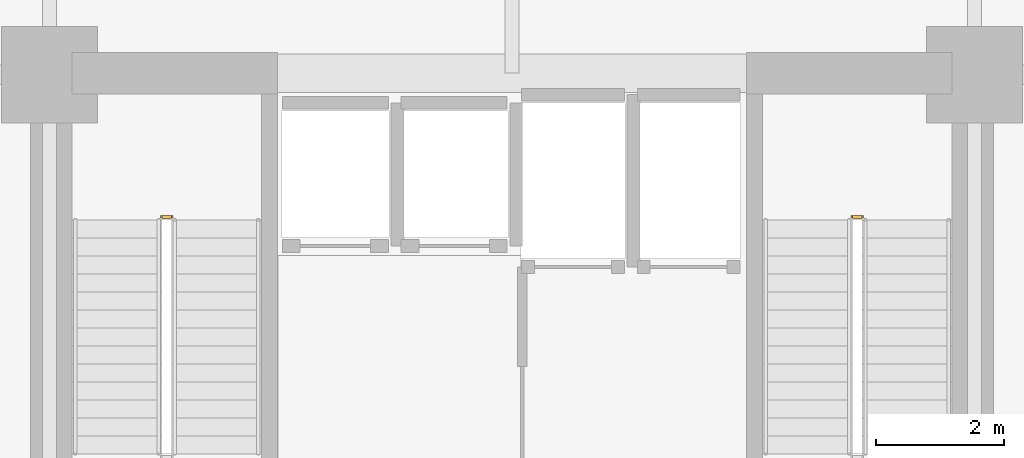
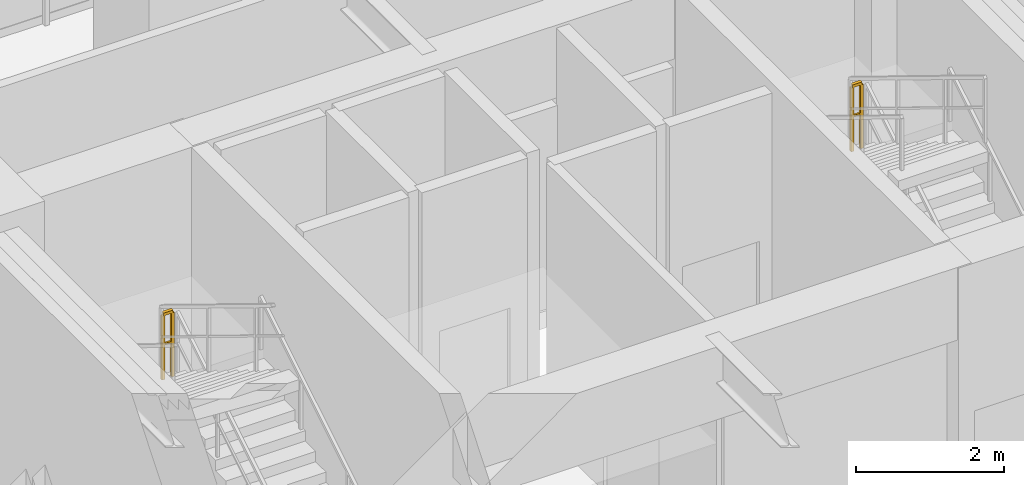
# One storey, part 22 of 22: 2 railings.
"""IFC4 building model written with IfcOpenShell, lengths in metres."""

from ifc_helpers import new_model, si_unit, direction, frame, origin, origin_2d, place, context, subcontext, project, spatial, rectangle, extrude, material, type_object, element, save


model = new_model("IFC4")

# Units and contexts
model_context = context("Model", 3, precision=1e-05, world=origin(), true_north=direction((0.0, 1.0)))
body_context = subcontext(model_context, "Body", "Model", "MODEL_VIEW")
ifc_project = project(units=[si_unit("LENGTHUNIT", "METRE"), si_unit("AREAUNIT", "SQUARE_METRE"), si_unit("VOLUMEUNIT", "CUBIC_METRE"), si_unit("PLANEANGLEUNIT", "RADIAN"), si_unit("MASSUNIT", "GRAM", prefix="KILO")], contexts=[model_context])

# Site, building, storey
site_placement = place(None, origin())
site = spatial("IfcSite", under=ifc_project, at=site_placement, CompositionType="ELEMENT")
building_placement = place(site_placement, origin())
building = spatial("IfcBuilding", under=site, at=building_placement, Name="Kaliganga Portal Commons", CompositionType="ELEMENT")
storey_placement = place(building_placement, frame((0.0, 0.0, 5.39990234375)))
storey = spatial("IfcBuildingStorey", under=building, at=storey_placement, Name="L01", CompositionType="ELEMENT", Elevation=5.39990234375)

# Railings
ifc_material = material(Name="Galvanized Painted Steel Balustrade", Category="steel")
railing_type = type_object("IfcRailingType", Name="RLG-STAIR-GRD", PredefinedType="GUARDRAIL", material=ifc_material)
for number, where, name in (
    (1, (16.300048828125, 33.93994140625, 2.400146484375), "L01 ST-A1 stair guard 2"),
    (2, (27.050048828125, 33.93994140625, 2.400146484375), "L01 ST-A2 stair guard 2"),
):
    element("IfcRailing", number, at=place(storey_placement, frame(where)), inside=storey, type_object=railing_type, Name=name, PredefinedType="GUARDRAIL", context=body_context, shape_type="SweptSolid", body=[
        extrude(rectangle(XDim=0.048095703125, YDim=0.048095703125, at=origin_2d()), frame((0.0, 0.0, 1.076171875), z_axis=(-1.0, 0.0, 0.0), x_axis=(0.0, -1.0, 0.0)), (0.0, 0.0, 1.0), 0.150146484375),
        extrude(rectangle(XDim=0.028076171875, YDim=0.028076171875, at=origin_2d()), frame((0.0, 0.0, 0.572021484375), z_axis=(-1.0, 0.0, 0.0), x_axis=(0.0, -1.0, 0.0)), (0.0, 0.0, 1.0), 0.150146484375),
        extrude(rectangle(XDim=0.0419921875, YDim=0.0419921875, at=origin_2d()), origin(), (0.0, 0.0, 1.0), 1.052001953125),
        extrude(rectangle(XDim=0.0419921875, YDim=0.0419921875, at=origin_2d()), frame((-0.150146484375, 0.0, 0.0)), (0.0, 0.0, 1.0), 1.052001953125),
    ])

save(model, "model.ifc")
